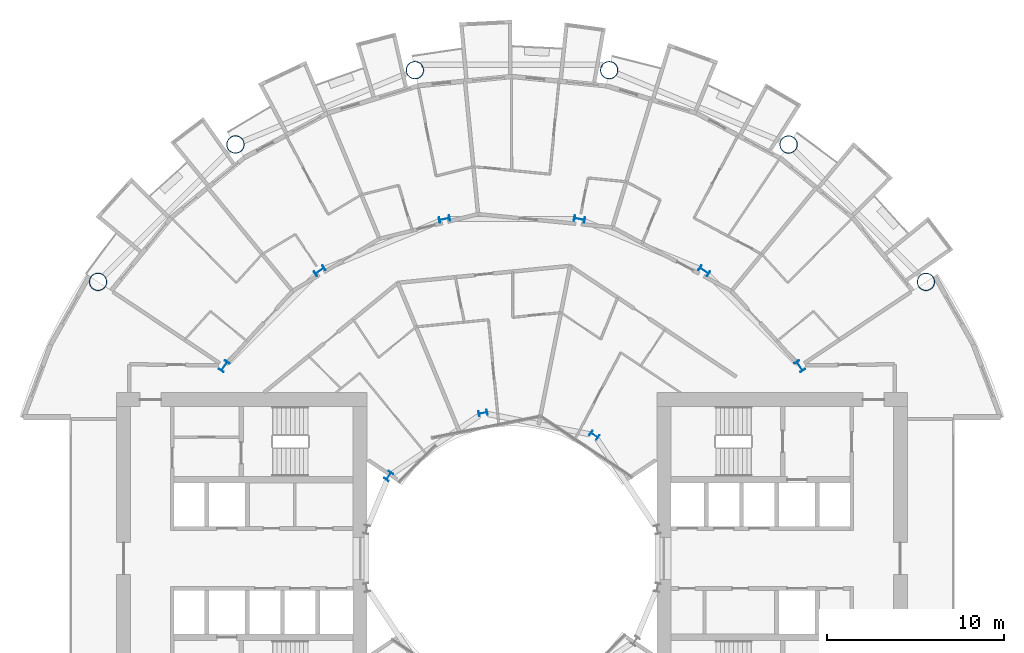
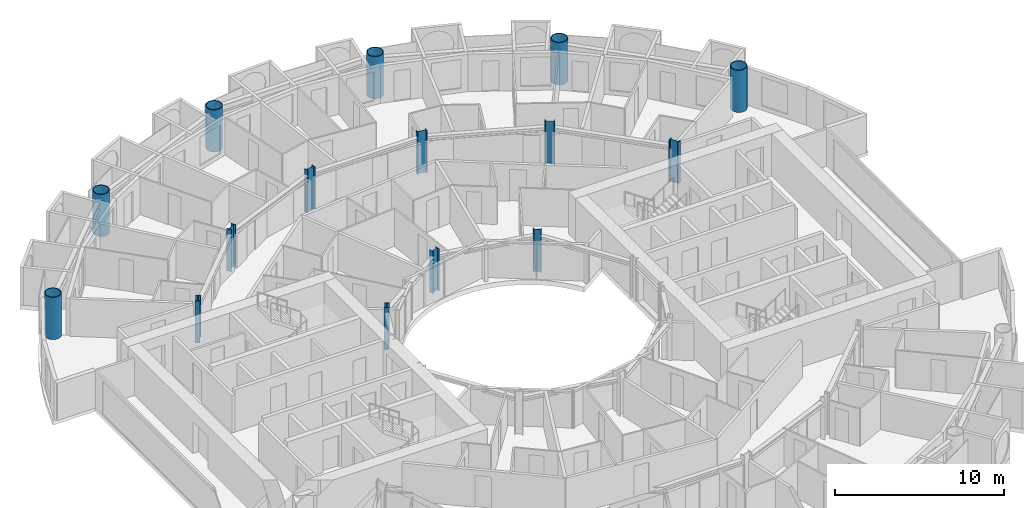
# One storey, part 3 of 26: 15 columns.
"""IFC4 building model written with IfcOpenShell, lengths in metres."""

from ifc_helpers import new_model, si_unit, direction, frame, origin, origin_2d, place, context, subcontext, project, spatial, hollow_circle, i_section, extrude, material, material_profile, profile_set, type_object, element, save


model = new_model("IFC4")

# Units and contexts
model_context = context("Model", 3, precision=1e-05, world=origin(), true_north=direction((0.0, 1.0)))
body_context = subcontext(model_context, "Body", "Model", "MODEL_VIEW")
ifc_project = project(units=[si_unit("LENGTHUNIT", "METRE"), si_unit("AREAUNIT", "SQUARE_METRE"), si_unit("VOLUMEUNIT", "CUBIC_METRE"), si_unit("PLANEANGLEUNIT", "RADIAN"), si_unit("MASSUNIT", "GRAM", prefix="KILO")], contexts=[model_context])

# Site, building, storey
site_placement = place(None, origin())
site = spatial("IfcSite", under=ifc_project, at=site_placement, CompositionType="ELEMENT")
building_placement = place(site_placement, origin())
building = spatial("IfcBuilding", under=site, at=building_placement, Name="Maasbend Ring Residences", CompositionType="ELEMENT")
storey_placement = place(building_placement, frame((0.0, 0.0, 25.85009765625)))
storey = spatial("IfcBuildingStorey", under=building, at=storey_placement, Name="L06", CompositionType="ELEMENT", Elevation=25.85009765625)

# Columns
ifc_material_1 = material(Name="Composite concrete-filled steel tube S460NH / C80/95", Category="concrete")
ifc_material_profile_1 = material_profile(ifc_material_1, hollow_circle(Radius=0.508056640625, WallThickness=0.050048828125, at=origin_2d()), Name="Composite tube column CHS 1016x50")
ifc_profile_set_1 = profile_set([ifc_material_profile_1], Name="Composite concrete-filled steel tube S460NH / C80/95")
column_type_1 = type_object("IfcColumnType", Name="Composite tube column CHS 1016x50", PredefinedType="COLUMN", material=ifc_profile_set_1)
for number, where, z_axis, x_axis, name in (
    (1, (23.447509765625, 15.6669921875, 0.0), (0.0, 0.0, 1.0), (1.0, 0.0, 0.0), "Outer column R2"),
    (2, (15.6669921875, 23.447509765625, 0.0), (0.0, 0.0, 1.0), (1.0, 0.0, 0.0), "Outer column R3"),
    (3, (5.50146484375, 27.658203125, 0.0), (0.0, 0.0, 1.0), (1.0, 0.0, 0.0), "Outer column R4"),
    (4, (-5.50146484375, 27.658203125, 0.0), (0.0, 0.0, 1.0), (1.0, 0.0, 0.0), "Outer column R5"),
    (5, (-15.6669921875, 23.447509765625, 0.0), (0.0, 0.0, 1.0), (1.0, 0.0, 0.0), "Outer column R6"),
    (6, (-23.447509765625, 15.6669921875, 0.0), (0.0, 0.0, 1.0), (1.0, 0.0, 0.0), "Outer column R7"),
):
    element("IfcColumn", number, at=place(storey_placement, frame(where, z_axis=z_axis, x_axis=x_axis)), inside=storey, type_object=column_type_1, Name=name, PredefinedType="COLUMN", context=body_context, shape_type="SweptSolid", body=[
        extrude(hollow_circle(Radius=0.508056640625, WallThickness=0.050048828125, at=origin_2d()), origin(), (0.0, 0.0, 1.0), 3.0498046875),
    ])
ifc_material_2 = material(Name="Steel S355J2", Category="steel")
ifc_material_profile_2 = material_profile(ifc_material_2, i_section(OverallWidth=0.300048828125, OverallDepth=0.5, WebThickness=0.014404296875, FlangeThickness=0.028076171875, FilletRadius=0.027099609375, at=origin_2d()), Name="HEB 500")
ifc_profile_set_2 = profile_set([ifc_material_profile_2], Name="Steel S355J2")
column_type_2 = type_object("IfcColumnType", Name="Steel column HEB 500", PredefinedType="COLUMN", material=ifc_profile_set_2)
for number, where, z_axis, x_axis, name in (
    (7, (4.666748046875, 6.984375, 0.0), (0.0, 0.0, 1.0), (0.55557023302, 0.831469612303, 0.0), "Well ring column R3"),
    (8, (-1.638916015625, 8.238525390625, 0.0), (0.0, 0.0, 1.0), (-0.195090322016, 0.980785280403, 0.0), "Well ring column R5"),
    (9, (-6.984375, 4.666748046875, 0.0), (0.0, 0.0, 1.0), (-0.831469612303, 0.55557023302, 0.0), "Well ring column R7"),
):
    element("IfcColumn", number, at=place(storey_placement, frame(where, z_axis=z_axis, x_axis=x_axis)), inside=storey, type_object=column_type_2, Name=name, PredefinedType="COLUMN", context=body_context, shape_type="SweptSolid", body=[
        extrude(i_section(OverallWidth=0.300048828125, OverallDepth=0.5, WebThickness=0.014404296875, FlangeThickness=0.028076171875, FilletRadius=0.027099609375, at=origin_2d()), origin(), (0.0, 0.0, 1.0), 3.0498046875),
    ])
ifc_material_3 = material(Name="Steel S460M", Category="steel")
ifc_material_profile_3 = material_profile(ifc_material_3, i_section(OverallWidth=0.304931640625, OverallDepth=0.6201171875, WebThickness=0.02099609375, FlangeThickness=0.0400390625, FilletRadius=0.027099609375, at=origin_2d()), Name="HEM 600")
ifc_profile_set_3 = profile_set([ifc_material_profile_3], Name="Steel S460M")
column_type_3 = type_object("IfcColumnType", Name="Steel column HEM 600", PredefinedType="COLUMN", material=ifc_profile_set_3)
for number, where, z_axis, x_axis, name in (
    (10, (16.296875, 10.88916015625, 0.0), (0.0, 0.0, 1.0), (0.831469612303, 0.55557023302, 0.0), "Corridor ring column R2"),
    (11, (10.88916015625, 16.296875, 0.0), (0.0, 0.0, 1.0), (0.55557023302, 0.831469612303, 0.0), "Corridor ring column R3"),
    (12, (3.82373046875, 19.223388671875, 0.0), (0.0, 0.0, 1.0), (0.195090322016, 0.980785280403, 0.0), "Corridor ring column R4"),
    (13, (-3.82373046875, 19.223388671875, 0.0), (0.0, 0.0, 1.0), (-0.195090322016, 0.980785280403, 0.0), "Corridor ring column R5"),
    (14, (-10.88916015625, 16.296875, 0.0), (0.0, 0.0, 1.0), (-0.55557023302, 0.831469612303, 0.0), "Corridor ring column R6"),
    (15, (-16.296875, 10.88916015625, 0.0), (0.0, 0.0, 1.0), (-0.831469612303, 0.55557023302, 0.0), "Corridor ring column R7"),
):
    element("IfcColumn", number, at=place(storey_placement, frame(where, z_axis=z_axis, x_axis=x_axis)), inside=storey, type_object=column_type_3, Name=name, PredefinedType="COLUMN", context=body_context, shape_type="SweptSolid", body=[
        extrude(i_section(OverallWidth=0.304931640625, OverallDepth=0.6201171875, WebThickness=0.02099609375, FlangeThickness=0.0400390625, FilletRadius=0.027099609375, at=origin_2d()), origin(), (0.0, 0.0, 1.0), 3.0498046875),
    ])

save(model, "model.ifc")
